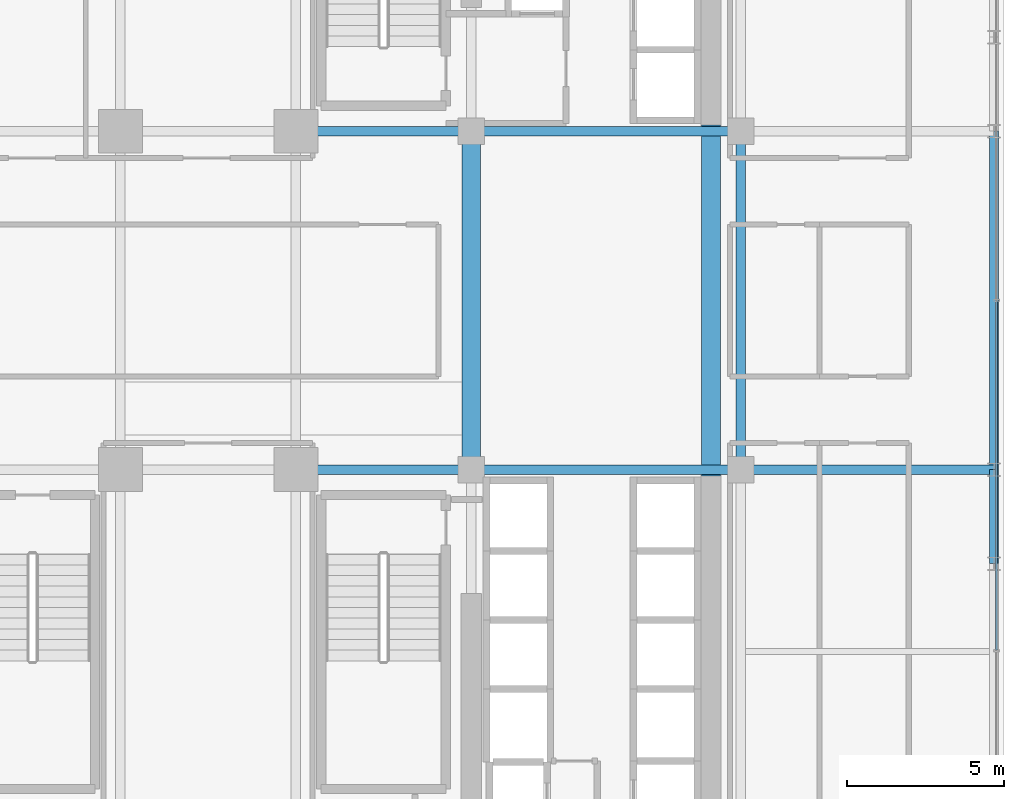
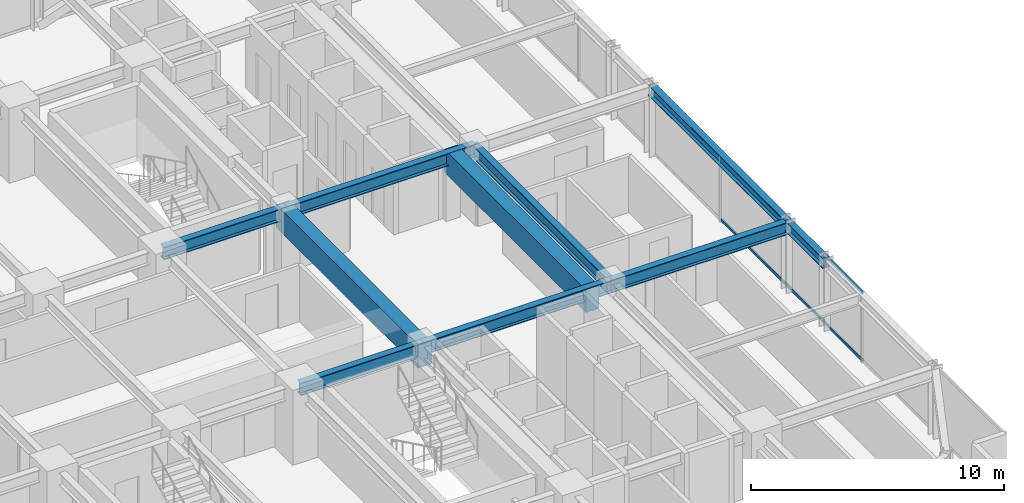
# One storey, part 16 of 36: 10 beams, 2 members, 1 element without a shape of its own.
"""IFC4 building model written with IfcOpenShell, lengths in metres."""

import ifcopenshell
import ifcopenshell.guid

model = None  # the IFC model being written
_history = None  # IfcOwnerHistory: only IFC2X3 demands one
_inside = {}  # id of a spatial element -> (the spatial element, [elements in it])
_under = {}  # id of a project, library or spatial element -> (it, [spatial elements below it])
_declared = {}  # id of a project -> (the project, [libraries it declares])
_typed = {}  # id of a type object -> (the type object, [elements of that type])
_made_of = {}  # id of a material, layer set ... -> (it, [elements and type objects made of it])


def new_model(schema):
    """Start an empty IFC model of exactly this schema.

    Asked for "IFC4X3", IfcOpenShell would pick the latest addendum, in which some entities
    have other attributes; the version numbers below select the first issue.
    IFC2X3 requires an IfcOwnerHistory on every rooted entity: one is made here for all.
    """
    global model, _history
    if schema == "IFC4X3":
        model = ifcopenshell.file(schema_version=(4, 3, 0, 0))
    else:
        model = ifcopenshell.file(schema=schema)
    _inside.clear()
    _under.clear()
    _declared.clear()
    _typed.clear()
    _made_of.clear()
    _history = None
    if model.schema == "IFC2X3":
        org = make("IfcOrganization", Name="unknown")
        user = make(
            "IfcPersonAndOrganization",
            ThePerson=make("IfcPerson", FamilyName="unknown"),
            TheOrganization=org,
        )
        app = make(
            "IfcApplication",
            ApplicationDeveloper=org,
            Version="unknown",
            ApplicationFullName="unknown",
            ApplicationIdentifier="unknown",
        )
        _history = make(
            "IfcOwnerHistory",
            OwningUser=user,
            OwningApplication=app,
            ChangeAction="ADDED",
            CreationDate=0,
        )
    return model


def make(cls, **values):
    """One entity of the class cls with the attributes given. An attribute that is None is left unset."""
    return model.create_entity(
        cls, **{name: value for name, value in values.items() if value is not None}
    )


def rooted(cls, **values):
    """An entity with a GlobalId (a new one), such as an element, a storey or a relation."""
    return make(cls, GlobalId=ifcopenshell.guid.new(), OwnerHistory=_history, **values)


def si_unit(unit_type, name, prefix=None):
    """IfcSIUnit, for example si_unit("LENGTHUNIT", "METRE", prefix="MILLI")."""
    return make("IfcSIUnit", UnitType=unit_type, Prefix=prefix, Name=name)


def assignment(units):
    """IfcUnitAssignment: the units of a project."""
    return None if units is None else make("IfcUnitAssignment", Units=units)


def point(xyz):
    """IfcCartesianPoint."""
    return None if xyz is None else make("IfcCartesianPoint", Coordinates=xyz)


def direction(xyz):
    """IfcDirection."""
    return None if xyz is None else make("IfcDirection", DirectionRatios=xyz)


def frame(location, z_axis=None, x_axis=None):
    """IfcAxis2Placement3D, a coordinate frame: its origin and axes. An axis left out is left unset."""
    return make(
        "IfcAxis2Placement3D",
        Location=point(location),
        Axis=direction(z_axis),
        RefDirection=direction(x_axis),
    )


def frame_2d(location, x_axis=None):
    """IfcAxis2Placement2D, a coordinate frame in the plane: its origin and x axis."""
    return make(
        "IfcAxis2Placement2D", Location=point(location), RefDirection=direction(x_axis)
    )


def origin():
    """The frame at (0, 0, 0) with its axes left unset."""
    return frame((0.0, 0.0, 0.0))


def origin_2d():
    """The frame at (0, 0) in the plane with its x axis left unset."""
    return frame_2d((0.0, 0.0))


def place(relative_to, where):
    """IfcLocalPlacement: puts the frame where relative to a parent placement (None: the world)."""
    return make(
        "IfcLocalPlacement", PlacementRelTo=relative_to, RelativePlacement=where
    )


def context(
    kind, dimensions, precision=None, world=None, true_north=None, identifier=None
):
    """IfcGeometricRepresentationContext, for example the 3D "Model" context."""
    return make(
        "IfcGeometricRepresentationContext",
        ContextIdentifier=identifier,
        ContextType=kind,
        CoordinateSpaceDimension=dimensions,
        Precision=precision,
        WorldCoordinateSystem=world,
        TrueNorth=true_north,
    )


def subcontext(parent, identifier, kind, view, scale=None):
    """IfcGeometricRepresentationSubContext, for example "Body" below "Model"."""
    return make(
        "IfcGeometricRepresentationSubContext",
        ContextIdentifier=identifier,
        ContextType=kind,
        ParentContext=parent,
        TargetScale=scale,
        TargetView=view,
    )


def project(units=None, contexts=None):
    """IfcProject with its units and contexts."""
    return rooted(
        "IfcProject",
        Name="project",
        RepresentationContexts=contexts,
        UnitsInContext=assignment(units),
    )


def spatial(cls, under=None, at=None, **own):
    """A site, building, storey or space (cls), placed at a placement, below another one or the project."""
    s = rooted(cls, ObjectPlacement=at, **own)
    if under is not None:
        _under.setdefault(under.id(), (under, []))[1].append(s)
    return s


def profile(cls, at=None, kind="AREA", **sizes):
    """A parametric profile (cls). Its sizes go by their IFC names, for example OverallWidth=200.0."""
    return make(cls, ProfileType=kind, Position=at, **sizes)


def rectangle(**sizes):
    """IfcRectangleProfileDef."""
    return profile("IfcRectangleProfileDef", **sizes)


def hollow_rectangle(**sizes):
    """IfcRectangleHollowProfileDef."""
    return profile("IfcRectangleHollowProfileDef", **sizes)


def i_section(**sizes):
    """IfcIShapeProfileDef."""
    return profile("IfcIShapeProfileDef", **sizes)


def extrude(swept, where, along, depth):
    """IfcExtrudedAreaSolid: the profile swept, set in the frame where, extruded along a direction by depth."""
    return make(
        "IfcExtrudedAreaSolid",
        SweptArea=swept,
        Position=where,
        ExtrudedDirection=direction(along),
        Depth=depth,
    )


def shape(context_of_items, identifier, shape_type, items):
    """IfcShapeRepresentation: the items that make up one representation, for example the "Body"."""
    return make(
        "IfcShapeRepresentation",
        ContextOfItems=context_of_items,
        RepresentationIdentifier=identifier,
        RepresentationType=shape_type,
        Items=items,
    )


def source(mapping_origin, context_of_items, identifier, shape_type, items):
    """IfcRepresentationMap: a shape defined once, which mapped items show again and again."""
    return make(
        "IfcRepresentationMap",
        MappingOrigin=mapping_origin,
        MappedRepresentation=shape(context_of_items, identifier, shape_type, items),
    )


def transform(
    local_origin,
    x_axis=None,
    y_axis=None,
    z_axis=None,
    scale=None,
    scale2=None,
    scale3=None,
    uniform=True,
):
    """IfcCartesianTransformationOperator3D, or its non-uniform kind. x_axis, y_axis, z_axis: its Axis1, 2, 3."""
    if uniform:
        return make(
            "IfcCartesianTransformationOperator3D",
            Axis1=direction(x_axis),
            Axis2=direction(y_axis),
            LocalOrigin=point(local_origin),
            Scale=scale,
            Axis3=direction(z_axis),
        )
    return make(
        "IfcCartesianTransformationOperator3DnonUniform",
        Axis1=direction(x_axis),
        Axis2=direction(y_axis),
        LocalOrigin=point(local_origin),
        Scale=scale,
        Axis3=direction(z_axis),
        Scale2=scale2,
        Scale3=scale3,
    )


def mapped(mapping_source, mapping_target):
    """IfcMappedItem: shows the shape of a source again, moved by a transform."""
    return make(
        "IfcMappedItem", MappingSource=mapping_source, MappingTarget=mapping_target
    )


def material(Name=None, Category=None):
    """IfcMaterial."""
    return make("IfcMaterial", Name=Name, Category=Category)


def material_profile(
    of_material, cross_section, Name=None, Category=None, Priority=None
):
    """IfcMaterialProfile: a cross section and its material."""
    return make(
        "IfcMaterialProfile",
        Name=Name,
        Material=of_material,
        Profile=cross_section,
        Priority=Priority,
        Category=Category,
    )


def profile_set(profiles, Name=None, composite=None):
    """IfcMaterialProfileSet."""
    return make(
        "IfcMaterialProfileSet",
        Name=Name,
        MaterialProfiles=profiles,
        CompositeProfile=composite,
    )


def made_of(thing, what):
    """Note that an element or type object is made of a material, layer set ...; save() writes the relation."""
    if what is not None:
        _made_of.setdefault(what.id(), (what, []))[1].append(thing)
    return thing


def type_object(cls, material=None, **own):
    """A type object (cls), such as IfcWallType, which elements share."""
    return made_of(rooted(cls, **own), material)


def element(
    cls,
    number,
    at=None,
    inside=None,
    cuts=None,
    type_object=None,
    material=None,
    context=None,
    identifier="Body",
    shape_type=None,
    held_by="IfcProductDefinitionShape",
    body=None,
    shapes=None,
    **own,
):
    """One element of the class cls, such as IfcWall. Its Tag is "e" and its number.

    at: its placement. inside: the storey or other place that contains it. cuts: it is an
    opening in that element (IfcRelVoidsElement). A single representation is given by context,
    identifier, shape_type and body (its items); several are given by shapes. held_by: the class
    of the entity that holds the representations. save() writes the other relations.
    """
    e = rooted(cls, Tag="e%d" % number, ObjectPlacement=at, **own)
    if body is not None:
        shapes = [shape(context, identifier, shape_type, body)]
    if shapes is not None:
        e.Representation = make(held_by, Representations=shapes)
    if inside is not None:
        _inside.setdefault(inside.id(), (inside, []))[1].append(e)
    if cuts is not None:
        rooted(
            "IfcRelVoidsElement", RelatingBuildingElement=cuts, RelatedOpeningElement=e
        )
    if type_object is not None:
        _typed.setdefault(type_object.id(), (type_object, []))[1].append(e)
    return made_of(e, material)


def aggregate(whole, parts):
    """IfcRelAggregates: a whole, such as a stair, and the parts it consists of."""
    return rooted("IfcRelAggregates", RelatingObject=whole, RelatedObjects=parts)


def save(model, path):
    """Write the relations noted so far, then the file.

    IfcRelAggregates (storeys below a building ...), IfcRelContainedInSpatialStructure (elements
    in a storey), IfcRelDefinesByType, IfcRelAssociatesMaterial and IfcRelDeclares: one each for
    every whole, place, type object, material and project.
    """
    for whole, parts in _under.values():
        aggregate(whole, parts)
    for where, things in _inside.values():
        rooted(
            "IfcRelContainedInSpatialStructure",
            RelatedElements=things,
            RelatingStructure=where,
        )
    for kind, things in _typed.values():
        rooted("IfcRelDefinesByType", RelatedObjects=things, RelatingType=kind)
    for what, things in _made_of.values():
        rooted("IfcRelAssociatesMaterial", RelatedObjects=things, RelatingMaterial=what)
    for by, libraries in _declared.values():
        rooted("IfcRelDeclares", RelatingContext=by, RelatedDefinitions=libraries)
    model.write(path)


model = new_model("IFC4")

# Units and contexts
model_context = context("Model", 3, precision=1e-05, world=origin(), true_north=direction((0.0, 1.0)))
body_context = subcontext(model_context, "Body", "Model", "MODEL_VIEW")
ifc_project = project(units=[si_unit("LENGTHUNIT", "METRE"), si_unit("AREAUNIT", "SQUARE_METRE"), si_unit("VOLUMEUNIT", "CUBIC_METRE"), si_unit("PLANEANGLEUNIT", "RADIAN"), si_unit("MASSUNIT", "GRAM", prefix="KILO")], contexts=[model_context])

# Site, building, storey
site_placement = place(None, origin())
site = spatial("IfcSite", under=ifc_project, at=site_placement, CompositionType="ELEMENT")
building_placement = place(site_placement, origin())
building = spatial("IfcBuilding", under=site, at=building_placement, Name="Nahalor Promenade Grand Hotel", CompositionType="ELEMENT")
storey_placement = place(building_placement, frame((0.0, 0.0, 76.199951171875)))
storey = spatial("IfcBuildingStorey", under=building, at=storey_placement, Name="L18", CompositionType="ELEMENT", Elevation=76.199951171875)

# Beams
ifc_material_1 = material(Name="Concrete B-60 (C50/60)", Category="concrete")
ifc_material_profile_1 = material_profile(ifc_material_1, rectangle(XDim=0.6, YDim=1.1, at=origin_2d()), Name="RC 600x1100")
ifc_profile_set_1 = profile_set([ifc_material_profile_1], Name="Concrete B-60 (C50/60)")
beam_type_1 = type_object("IfcBeamType", Name="Beam-Lintel-RC1100", PredefinedType="LINTEL", material=ifc_profile_set_1)
shared_shape_1 = source(origin(), body_context, "Body", "SweptSolid", [
    extrude(rectangle(XDim=0.6, YDim=1.1, at=origin_2d()), origin(), (0.0, 0.0, 1.0), 11.2001953125),
])
for number, where, z_axis, x_axis, name in (
    (1, (8.39990234375, -5.60009765625, 2.820068359375), (0.0, 1.0, 0.0), (-1.0, 0.0, 0.0), "BM-L18-LINT-W"),
    (2, (16.050048828125, -5.60009765625, 2.820068359375), (0.0, 1.0, 0.0), (-1.0, 0.0, 0.0), "BM-L18-LINT-E"),
):
    element("IfcBeam", number, at=place(storey_placement, frame(where, z_axis=z_axis, x_axis=x_axis)), inside=storey, type_object=beam_type_1, Name=name, PredefinedType="LINTEL", context=body_context, shape_type="MappedRepresentation", body=[
        mapped(shared_shape_1, transform((0.0, 0.0, 0.0), scale=1.0)),
    ])
ifc_material_2 = material(Name="Steel S355JR", Category="steel")
ifc_material_profile_2 = material_profile(ifc_material_2, i_section(OverallWidth=0.3, OverallDepth=0.6, WebThickness=0.0155, FlangeThickness=0.03, at=origin_2d()), Name="HEB 600")
ifc_profile_set_2 = profile_set([ifc_material_profile_2], Name="Steel S355JR")
beam_type_2 = type_object("IfcBeamType", Name="Beam-Girder-HEB600", PredefinedType="BEAM", material=ifc_profile_set_2)
shared_shape_2 = source(origin(), body_context, "Body", "SweptSolid", [
    extrude(i_section(OverallWidth=0.3, OverallDepth=0.6, WebThickness=0.0155, FlangeThickness=0.03, at=origin_2d()), origin(), (0.0, 0.0, 1.0), 8.60009765625),
])
for number, where, z_axis, x_axis, name in (
    (3, (8.39990234375, -5.39990234375, 3.070068359375), (1.0, 0.0, 0.0), (0.0, 1.0, 0.0), "BM-L18-GX-1-5"),
    (4, (8.39990234375, 5.39990234375, 3.070068359375), (1.0, 0.0, 0.0), (0.0, 1.0, 0.0), "BM-L18-GX-2-5"),
):
    element("IfcBeam", number, at=place(storey_placement, frame(where, z_axis=z_axis, x_axis=x_axis)), inside=storey, type_object=beam_type_2, Name=name, PredefinedType="BEAM", context=body_context, shape_type="MappedRepresentation", body=[
        mapped(shared_shape_2, transform((0.0, 0.0, 0.0), scale=1.0)),
    ])
shared_shape_3 = source(origin(), body_context, "Body", "SweptSolid", [
    extrude(i_section(OverallWidth=0.3, OverallDepth=0.6, WebThickness=0.0155, FlangeThickness=0.03, at=origin_2d()), origin(), (0.0, 0.0, 1.0), 5.599853515625),
])
for number, where, z_axis, x_axis, name in (
    (5, (2.800048828125, -5.39990234375, 3.070068359375), (1.0, 0.0, 0.0), (0.0, 1.0, 0.0), "BM-L18-GX-1-4"),
    (6, (2.800048828125, 5.39990234375, 3.070068359375), (1.0, 0.0, 0.0), (0.0, 1.0, 0.0), "BM-L18-GX-2-4"),
):
    element("IfcBeam", number, at=place(storey_placement, frame(where, z_axis=z_axis, x_axis=x_axis)), inside=storey, type_object=beam_type_2, Name=name, PredefinedType="BEAM", context=body_context, shape_type="MappedRepresentation", body=[
        mapped(shared_shape_3, transform((0.0, 0.0, 0.0), scale=1.0)),
    ])
shared_shape_4 = source(origin(), body_context, "Body", "SweptSolid", [
    extrude(i_section(OverallWidth=0.3, OverallDepth=0.6, WebThickness=0.0155, FlangeThickness=0.03, at=origin_2d()), origin(), (0.0, 0.0, 1.0), 10.7998046875),
])
beam_1_placement = place(storey_placement, frame((17.0, -5.39990234375, 3.070068359375), z_axis=(0.0, 1.0, 0.0), x_axis=(-1.0, 0.0, 0.0)))
element("IfcBeam", 7, at=beam_1_placement, inside=storey, type_object=beam_type_2, Name="BM-L18-GY-5-2", PredefinedType="BEAM", context=body_context, shape_type="MappedRepresentation", body=[
    mapped(shared_shape_4, transform((0.0, 0.0, 0.0), scale=1.0)),
])
ifc_material_profile_3 = material_profile(ifc_material_2, i_section(OverallWidth=0.3, OverallDepth=0.5, WebThickness=0.0145, FlangeThickness=0.028, at=origin_2d()), Name="HEB 500")
ifc_profile_set_3 = profile_set([ifc_material_profile_3], Name="Steel S355JR")
beam_type_3 = type_object("IfcBeamType", Name="Beam-Spandrel-HEB500", PredefinedType="SPANDREL", material=ifc_profile_set_3)
shared_shape_5 = source(origin(), body_context, "Body", "SweptSolid", [
    extrude(i_section(OverallWidth=0.3, OverallDepth=0.5, WebThickness=0.0145, FlangeThickness=0.028, at=origin_2d()), origin(), (0.0, 0.0, 1.0), 3.0),
])
beam_2_placement = place(storey_placement, frame((25.080078125, -8.39990234375, 3.1201171875), z_axis=(0.0, 1.0, 0.0), x_axis=(-1.0, 0.0, 0.0)))
element("IfcBeam", 8, at=beam_2_placement, inside=storey, type_object=beam_type_3, Name="BM-L18-SP-E-1", PredefinedType="SPANDREL", context=body_context, shape_type="MappedRepresentation", body=[
    mapped(shared_shape_5, transform((0.0, 0.0, 0.0), scale=1.0)),
])
shared_shape_6 = source(origin(), body_context, "Body", "SweptSolid", [
    extrude(i_section(OverallWidth=0.3, OverallDepth=0.5, WebThickness=0.0145, FlangeThickness=0.028, at=origin_2d()), origin(), (0.0, 0.0, 1.0), 10.7998046875),
])
beam_3_placement = place(storey_placement, frame((25.080078125, -5.39990234375, 3.1201171875), z_axis=(0.0, 1.0, 0.0), x_axis=(-1.0, 0.0, 0.0)))
element("IfcBeam", 9, at=beam_3_placement, inside=storey, type_object=beam_type_3, Name="BM-L18-SP-E-2", PredefinedType="SPANDREL", context=body_context, shape_type="MappedRepresentation", body=[
    mapped(shared_shape_6, transform((0.0, 0.0, 0.0), scale=1.0)),
])
shared_shape_7 = source(origin(), body_context, "Body", "SweptSolid", [
    extrude(i_section(OverallWidth=0.3, OverallDepth=0.6, WebThickness=0.0155, FlangeThickness=0.03, at=origin_2d()), origin(), (0.0, 0.0, 1.0), 8.080078125),
])
beam_4_placement = place(storey_placement, frame((17.0, -5.39990234375, 3.070068359375), z_axis=(1.0, 0.0, 0.0), x_axis=(0.0, 1.0, 0.0)))
element("IfcBeam", 10, at=beam_4_placement, inside=storey, type_object=beam_type_2, Name="BM-L18-GX-1-6", PredefinedType="BEAM", context=body_context, shape_type="MappedRepresentation", body=[
    mapped(shared_shape_7, transform((0.0, 0.0, 0.0), scale=1.0)),
])

# Curtain wall, members
ifc_material_3 = material(Name="Anodised Bronze Aluminium EN AW-6063 T6", Category="aluminium")
curtain_wall_type = type_object("IfcCurtainWallType", Name="CW2 Typical Hotel Flush Bronze Unitised Curtain Wall", PredefinedType="USERDEFINED", material=ifc_material_3)
curtain_wall_placement = place(storey_placement, origin())
curtain_wall = element("IfcCurtainWall", 11, at=curtain_wall_placement, inside=storey, type_object=curtain_wall_type, Name="L18 Curtain Wall CW-L18-E-1", ObjectType="UNITISED_CURTAIN_WALL", PredefinedType="USERDEFINED")
ifc_material_profile_4 = material_profile(ifc_material_3, hollow_rectangle(XDim=0.065, YDim=0.13, WallThickness=0.004, at=origin_2d()), Name="CWT 65x130x4")
ifc_profile_set_4 = profile_set([ifc_material_profile_4], Name="Anodised Bronze Aluminium EN AW-6063 T6")
member_type = type_object("IfcMemberType", Name="CWT2 Typical Bronze Transom 65x130", PredefinedType="USERDEFINED", material=ifc_profile_set_4)
shared_shape_8 = source(origin(), body_context, "Body", "SweptSolid", [
    extrude(hollow_rectangle(XDim=0.065, YDim=0.13, WallThickness=0.004, at=origin_2d()), origin(), (0.0, 0.0, 1.0), 11.114990234375),
])
member_1_placement = place(storey_placement, frame((25.159912109375, -11.1474609375, 0.06494140625), z_axis=(0.0, 1.0, 0.0), x_axis=(-1.0, 0.0, 0.0)))
member_1 = element("IfcMember", 12, at=member_1_placement, type_object=member_type, Name="CW-L18-E-1 Transom 1-0", ObjectType="TRANSOM", PredefinedType="USERDEFINED", context=body_context, shape_type="MappedRepresentation", body=[
    mapped(shared_shape_8, transform((0.0, 0.0, 0.0), scale=1.0)),
])
member_2_placement = place(storey_placement, frame((25.159912109375, -11.1474609375, 3.304931640625), z_axis=(0.0, 1.0, 0.0), x_axis=(-1.0, 0.0, 0.0)))
member_2 = element("IfcMember", 13, at=member_2_placement, type_object=member_type, Name="CW-L18-E-1 Transom 1-1", ObjectType="TRANSOM", PredefinedType="USERDEFINED", context=body_context, shape_type="MappedRepresentation", body=[
    mapped(shared_shape_8, transform((0.0, 0.0, 0.0), scale=1.0)),
])
aggregate(curtain_wall, [member_1, member_2])

save(model, "model.ifc")
